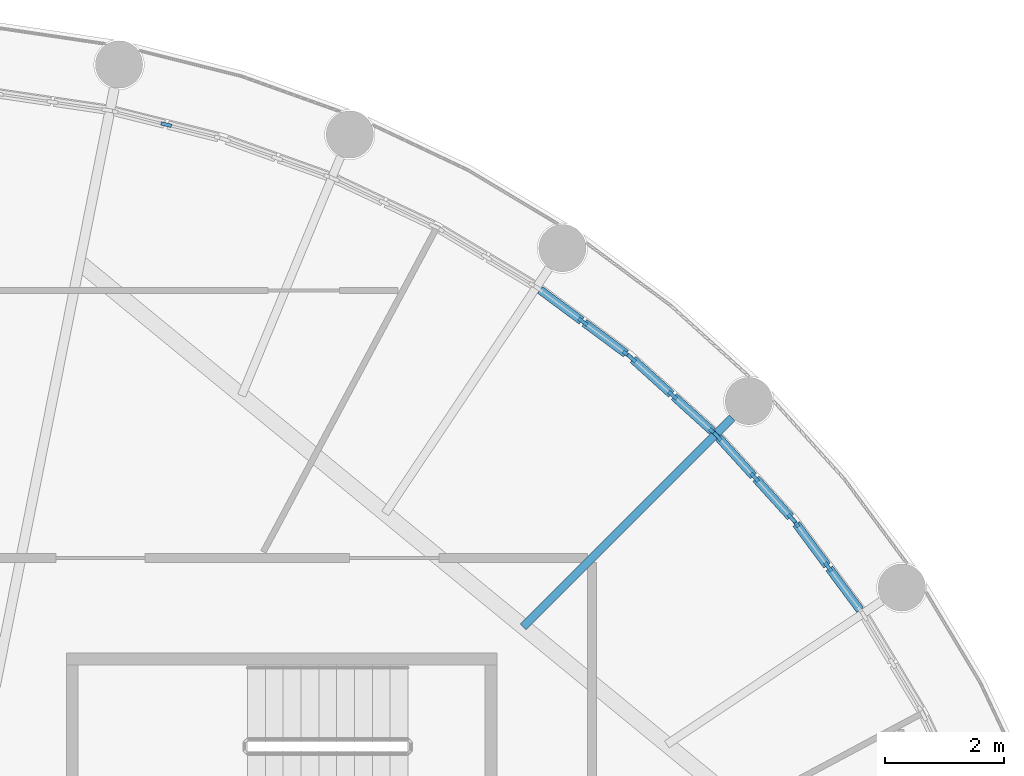
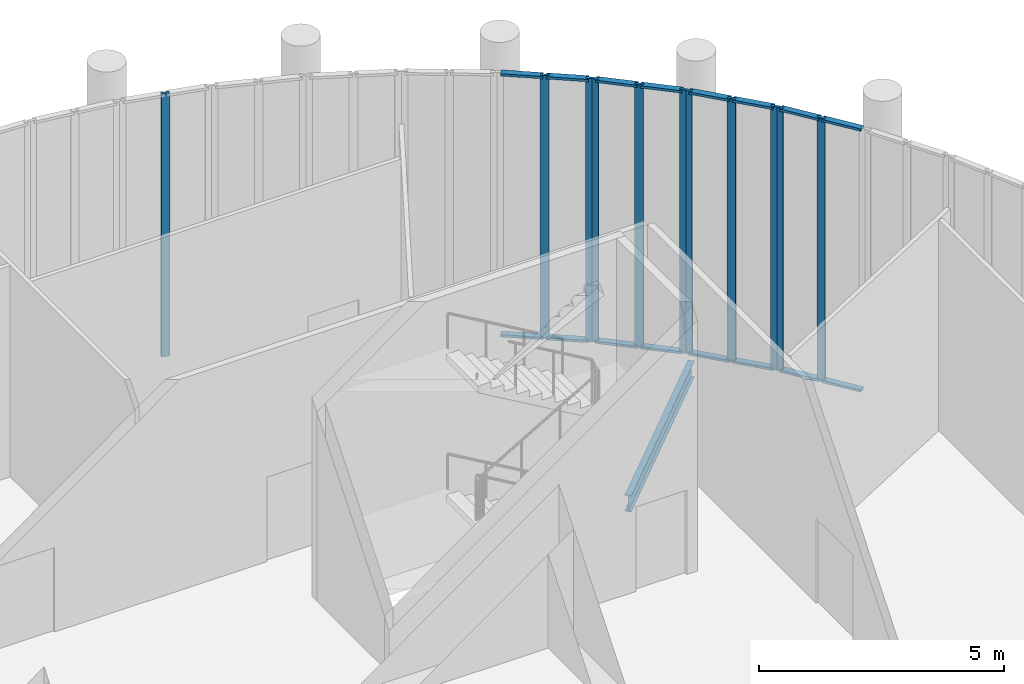
# One storey, part 8 of 21: 27 members, 1 beam, 5 elements without a shape of their own.
"""IFC4 building model written with IfcOpenShell, lengths in metres."""

from ifc_helpers import new_model, si_unit, direction, frame, origin, origin_2d, place, context, subcontext, project, spatial, rectangle, i_section, extrude, material, material_profile, profile_set, type_object, element, aggregate, save


model = new_model("IFC4")

# Units and contexts
model_context = context("Model", 3, precision=1e-05, world=origin(), true_north=direction((0.0, 1.0)))
body_context = subcontext(model_context, "Body", "Model", "MODEL_VIEW")
ifc_project = project(units=[si_unit("LENGTHUNIT", "METRE"), si_unit("AREAUNIT", "SQUARE_METRE"), si_unit("VOLUMEUNIT", "CUBIC_METRE"), si_unit("PLANEANGLEUNIT", "RADIAN"), si_unit("MASSUNIT", "GRAM", prefix="KILO")], contexts=[model_context])

# Site, building, storey
site_placement = place(None, origin())
site = spatial("IfcSite", under=ifc_project, at=site_placement, CompositionType="ELEMENT")
building_placement = place(site_placement, origin())
building = spatial("IfcBuilding", under=site, at=building_placement, Name="Corvane Civic Tower", CompositionType="ELEMENT")
storey_placement = place(building_placement, frame((0.0, 0.0, 380.5)))
storey = spatial("IfcBuildingStorey", under=building, at=storey_placement, Name="L91", CompositionType="ELEMENT", Elevation=380.5)

# Curtain wall, members
ifc_material_1 = material(Name="Aluminium and glass", Category="aluminium")
curtain_wall_type = type_object("IfcCurtainWallType", Name="CROWN-CW-O-RUN", PredefinedType="NOTDEFINED", material=ifc_material_1)
curtain_wall_1_placement = place(storey_placement, origin())
curtain_wall_1 = element("IfcCurtainWall", 1, at=curtain_wall_1_placement, inside=storey, type_object=curtain_wall_type, Name="CW-O run L91 55", PredefinedType="NOTDEFINED")
ifc_material_2 = material(Name="Anodised aluminium bronze", Category="aluminium")
ifc_material_profile_1 = material_profile(ifc_material_2, rectangle(XDim=0.06005859375, YDim=0.179931640625, at=origin_2d()), Name="AL 60x180")
ifc_profile_set_1 = profile_set([ifc_material_profile_1], Name="Anodised aluminium bronze")
member_type_1 = type_object("IfcMemberType", Name="CROWN-CWO-MULLION-60x180", PredefinedType="MULLION", material=ifc_profile_set_1)
member_1_placement = place(storey_placement, frame((15.972412109375, 11.845947265625, 0.0), z_axis=(0.0, 0.0, 1.0), x_axis=(-0.803190345058, -0.595722477003, 0.0)))
member_1 = element("IfcMember", 2, at=member_1_placement, type_object=member_type_1, Name="CW-O mullion 2", PredefinedType="MULLION", context=body_context, shape_type="SweptSolid", body=[
    extrude(rectangle(XDim=0.06005859375, YDim=0.179931640625, at=origin_2d()), origin(), (0.0, 0.0, 1.0), 6.550048828125),
])
member_2_placement = place(storey_placement, frame((15.417724609375, 12.593994140625, 0.0), z_axis=(0.0, 0.0, 1.0), x_axis=(-0.803190345058, -0.595722477003, 0.0)))
member_2 = element("IfcMember", 3, at=member_2_placement, type_object=member_type_1, Name="CW-O mullion 3", PredefinedType="MULLION", context=body_context, shape_type="SweptSolid", body=[
    extrude(rectangle(XDim=0.06005859375, YDim=0.179931640625, at=origin_2d()), origin(), (0.0, 0.0, 1.0), 6.550048828125),
])

curtain_wall_2_placement = place(storey_placement, origin())
curtain_wall_2 = element("IfcCurtainWall", 4, at=curtain_wall_2_placement, inside=storey, type_object=curtain_wall_type, Name="CW-O run L91 56", PredefinedType="NOTDEFINED")
member_3_placement = place(storey_placement, frame((15.35986328125, 12.664306640625, 0.0), z_axis=(0.0, 0.0, 1.0), x_axis=(-0.740944089448, -0.671566717692, 0.0)))
member_3 = element("IfcMember", 5, at=member_3_placement, type_object=member_type_1, Name="CW-O mullion 1", PredefinedType="MULLION", context=body_context, shape_type="SweptSolid", body=[
    extrude(rectangle(XDim=0.06005859375, YDim=0.179931640625, at=origin_2d()), origin(), (0.0, 0.0, 1.0), 6.550048828125),
])
member_4_placement = place(storey_placement, frame((14.734375, 13.3544921875, 0.0), z_axis=(0.0, 0.0, 1.0), x_axis=(-0.740944089448, -0.671566717692, 0.0)))
member_4 = element("IfcMember", 6, at=member_4_placement, type_object=member_type_1, Name="CW-O mullion 2", PredefinedType="MULLION", context=body_context, shape_type="SweptSolid", body=[
    extrude(rectangle(XDim=0.06005859375, YDim=0.179931640625, at=origin_2d()), origin(), (0.0, 0.0, 1.0), 6.550048828125),
])
member_5_placement = place(storey_placement, frame((14.10888671875, 14.044677734375, 0.0), z_axis=(0.0, 0.0, 1.0), x_axis=(-0.740944089448, -0.671566717692, 0.0)))
member_5 = element("IfcMember", 7, at=member_5_placement, type_object=member_type_1, Name="CW-O mullion 3", PredefinedType="MULLION", context=body_context, shape_type="SweptSolid", body=[
    extrude(rectangle(XDim=0.06005859375, YDim=0.179931640625, at=origin_2d()), origin(), (0.0, 0.0, 1.0), 6.550048828125),
])

curtain_wall_3_placement = place(storey_placement, origin())
curtain_wall_3 = element("IfcCurtainWall", 8, at=curtain_wall_3_placement, inside=storey, type_object=curtain_wall_type, Name="CW-O run L91 57", PredefinedType="NOTDEFINED")
member_6_placement = place(storey_placement, frame((14.044677734375, 14.10888671875, 0.0), z_axis=(0.0, 0.0, 1.0), x_axis=(-0.671566717692, -0.740944089448, 0.0)))
member_6 = element("IfcMember", 9, at=member_6_placement, type_object=member_type_1, Name="CW-O mullion 1", PredefinedType="MULLION", context=body_context, shape_type="SweptSolid", body=[
    extrude(rectangle(XDim=0.06005859375, YDim=0.179931640625, at=origin_2d()), origin(), (0.0, 0.0, 1.0), 6.550048828125),
])
member_7_placement = place(storey_placement, frame((13.3544921875, 14.734375, 0.0), z_axis=(0.0, 0.0, 1.0), x_axis=(-0.671566717692, -0.740944089448, 0.0)))
member_7 = element("IfcMember", 10, at=member_7_placement, type_object=member_type_1, Name="CW-O mullion 2", PredefinedType="MULLION", context=body_context, shape_type="SweptSolid", body=[
    extrude(rectangle(XDim=0.06005859375, YDim=0.179931640625, at=origin_2d()), origin(), (0.0, 0.0, 1.0), 6.550048828125),
])
member_8_placement = place(storey_placement, frame((12.664306640625, 15.35986328125, 0.0), z_axis=(0.0, 0.0, 1.0), x_axis=(-0.671566717692, -0.740944089448, 0.0)))
member_8 = element("IfcMember", 11, at=member_8_placement, type_object=member_type_1, Name="CW-O mullion 3", PredefinedType="MULLION", context=body_context, shape_type="SweptSolid", body=[
    extrude(rectangle(XDim=0.06005859375, YDim=0.179931640625, at=origin_2d()), origin(), (0.0, 0.0, 1.0), 6.550048828125),
])

curtain_wall_4_placement = place(storey_placement, origin())
curtain_wall_4 = element("IfcCurtainWall", 12, at=curtain_wall_4_placement, inside=storey, type_object=curtain_wall_type, Name="CW-O run L91 58", PredefinedType="NOTDEFINED")
member_9_placement = place(storey_placement, frame((12.593994140625, 15.417724609375, 0.0), z_axis=(0.0, 0.0, 1.0), x_axis=(-0.595722477003, -0.803190345058, 0.0)))
member_9 = element("IfcMember", 13, at=member_9_placement, type_object=member_type_1, Name="CW-O mullion 1", PredefinedType="MULLION", context=body_context, shape_type="SweptSolid", body=[
    extrude(rectangle(XDim=0.06005859375, YDim=0.179931640625, at=origin_2d()), origin(), (0.0, 0.0, 1.0), 6.550048828125),
])
member_10_placement = place(storey_placement, frame((11.845947265625, 15.972412109375, 0.0), z_axis=(0.0, 0.0, 1.0), x_axis=(-0.595722477003, -0.803190345058, 0.0)))
member_10 = element("IfcMember", 14, at=member_10_placement, type_object=member_type_1, Name="CW-O mullion 2", PredefinedType="MULLION", context=body_context, shape_type="SweptSolid", body=[
    extrude(rectangle(XDim=0.06005859375, YDim=0.179931640625, at=origin_2d()), origin(), (0.0, 0.0, 1.0), 6.550048828125),
])

# Curtain wall, member
curtain_wall_5_placement = place(storey_placement, origin())
curtain_wall_5 = element("IfcCurtainWall", 15, at=curtain_wall_5_placement, inside=storey, type_object=curtain_wall_type, Name="CW-O run L91 62", PredefinedType="NOTDEFINED")
member_11_placement = place(storey_placement, frame((4.831787109375, 19.2900390625, 0.0), z_axis=(0.0, 0.0, 1.0), x_axis=(-0.242951704982, -0.970038385347, 0.0)))
member_11 = element("IfcMember", 16, at=member_11_placement, type_object=member_type_1, Name="CW-O mullion 2", PredefinedType="MULLION", context=body_context, shape_type="SweptSolid", body=[
    extrude(rectangle(XDim=0.06005859375, YDim=0.179931640625, at=origin_2d()), origin(), (0.0, 0.0, 1.0), 6.550048828125),
])
aggregate(curtain_wall_5, [member_11])

# Member
ifc_material_3 = material(Name="Anodised aluminium bronze", Category="aluminium")
ifc_material_profile_2 = material_profile(ifc_material_3, rectangle(XDim=0.139892578125, YDim=0.06005859375, at=origin_2d()), Name="AL 140x60")
ifc_profile_set_2 = profile_set([ifc_material_profile_2], Name="Anodised aluminium bronze")
member_type_2 = type_object("IfcMemberType", Name="CROWN-CWO-TRANSOM-60x140", PredefinedType="USERDEFINED", material=ifc_profile_set_2)
member_12_placement = place(storey_placement, frame((16.509521484375, 11.1220703125, 0.030029296875), z_axis=(-0.595776957512, 0.803149934257, 0.0), x_axis=(-0.803149934257, -0.595776957512, 0.0)))
member_12 = element("IfcMember", 17, at=member_12_placement, type_object=member_type_2, Name="CW-O transom 1.1", ObjectType="TRANSOM", PredefinedType="USERDEFINED", context=body_context, shape_type="SweptSolid", body=[
    extrude(rectangle(XDim=0.139892578125, YDim=0.06005859375, at=origin_2d()), origin(), (0.0, 0.0, 1.0), 0.87109375),
])

member_13_placement = place(storey_placement, frame((16.509521484375, 11.1220703125, 6.52001953125), z_axis=(-0.595776957512, 0.803149934257, 0.0), x_axis=(-0.803149934257, -0.595776957512, 0.0)))
member_13 = element("IfcMember", 18, at=member_13_placement, type_object=member_type_2, Name="CW-O transom 1.2", ObjectType="TRANSOM", PredefinedType="USERDEFINED", context=body_context, shape_type="SweptSolid", body=[
    extrude(rectangle(XDim=0.139892578125, YDim=0.06005859375, at=origin_2d()), origin(), (0.0, 0.0, 1.0), 0.87109375),
])

member_14_placement = place(storey_placement, frame((15.95458984375, 11.8701171875, 0.030029296875), z_axis=(-0.595776957512, 0.803149934257, 0.0), x_axis=(-0.803149934257, -0.595776957512, 0.0)))
member_14 = element("IfcMember", 19, at=member_14_placement, type_object=member_type_2, Name="CW-O transom 2.1", ObjectType="TRANSOM", PredefinedType="USERDEFINED", context=body_context, shape_type="SweptSolid", body=[
    extrude(rectangle(XDim=0.139892578125, YDim=0.06005859375, at=origin_2d()), origin(), (0.0, 0.0, 1.0), 0.87109375),
])

member_15_placement = place(storey_placement, frame((15.95458984375, 11.8701171875, 6.52001953125), z_axis=(-0.595776957512, 0.803149934257, 0.0), x_axis=(-0.803149934257, -0.595776957512, 0.0)))
member_15 = element("IfcMember", 20, at=member_15_placement, type_object=member_type_2, Name="CW-O transom 2.2", ObjectType="TRANSOM", PredefinedType="USERDEFINED", context=body_context, shape_type="SweptSolid", body=[
    extrude(rectangle(XDim=0.139892578125, YDim=0.06005859375, at=origin_2d()), origin(), (0.0, 0.0, 1.0), 0.87109375),
])

aggregate(curtain_wall_1, [member_1, member_2, member_12, member_13, member_14, member_15])

member_16_placement = place(storey_placement, frame((15.33984375, 12.6865234375, 0.030029296875), z_axis=(-0.671514617897, 0.740991307608, 0.0), x_axis=(-0.740991307608, -0.671514617897, 0.0)))
member_16 = element("IfcMember", 21, at=member_16_placement, type_object=member_type_2, Name="CW-O transom 1.1", ObjectType="TRANSOM", PredefinedType="USERDEFINED", context=body_context, shape_type="SweptSolid", body=[
    extrude(rectangle(XDim=0.139892578125, YDim=0.06005859375, at=origin_2d()), origin(), (0.0, 0.0, 1.0), 0.87158203125),
])

member_17_placement = place(storey_placement, frame((15.33984375, 12.6865234375, 6.52001953125), z_axis=(-0.671514617897, 0.740991307608, 0.0), x_axis=(-0.740991307608, -0.671514617897, 0.0)))
member_17 = element("IfcMember", 22, at=member_17_placement, type_object=member_type_2, Name="CW-O transom 1.2", ObjectType="TRANSOM", PredefinedType="USERDEFINED", context=body_context, shape_type="SweptSolid", body=[
    extrude(rectangle(XDim=0.139892578125, YDim=0.06005859375, at=origin_2d()), origin(), (0.0, 0.0, 1.0), 0.87158203125),
])

member_18_placement = place(storey_placement, frame((14.71435546875, 13.376708984375, 0.030029296875), z_axis=(-0.671514617897, 0.740991307608, 0.0), x_axis=(-0.740991307608, -0.671514617897, 0.0)))
member_18 = element("IfcMember", 23, at=member_18_placement, type_object=member_type_2, Name="CW-O transom 2.1", ObjectType="TRANSOM", PredefinedType="USERDEFINED", context=body_context, shape_type="SweptSolid", body=[
    extrude(rectangle(XDim=0.139892578125, YDim=0.06005859375, at=origin_2d()), origin(), (0.0, 0.0, 1.0), 0.87158203125),
])

member_19_placement = place(storey_placement, frame((14.71435546875, 13.376708984375, 6.52001953125), z_axis=(-0.671514617897, 0.740991307608, 0.0), x_axis=(-0.740991307608, -0.671514617897, 0.0)))
member_19 = element("IfcMember", 24, at=member_19_placement, type_object=member_type_2, Name="CW-O transom 2.2", ObjectType="TRANSOM", PredefinedType="USERDEFINED", context=body_context, shape_type="SweptSolid", body=[
    extrude(rectangle(XDim=0.139892578125, YDim=0.06005859375, at=origin_2d()), origin(), (0.0, 0.0, 1.0), 0.87158203125),
])

aggregate(curtain_wall_2, [member_3, member_4, member_5, member_16, member_17, member_18, member_19])

member_20_placement = place(storey_placement, frame((14.0224609375, 14.129150390625, 0.030029296875), z_axis=(-0.740991307608, 0.671514617897, 0.0), x_axis=(-0.671514617897, -0.740991307608, 0.0)))
member_20 = element("IfcMember", 25, at=member_20_placement, type_object=member_type_2, Name="CW-O transom 1.1", ObjectType="TRANSOM", PredefinedType="USERDEFINED", context=body_context, shape_type="SweptSolid", body=[
    extrude(rectangle(XDim=0.139892578125, YDim=0.06005859375, at=origin_2d()), origin(), (0.0, 0.0, 1.0), 0.87158203125),
])

member_21_placement = place(storey_placement, frame((14.0224609375, 14.129150390625, 6.52001953125), z_axis=(-0.740991307608, 0.671514617897, 0.0), x_axis=(-0.671514617897, -0.740991307608, 0.0)))
member_21 = element("IfcMember", 26, at=member_21_placement, type_object=member_type_2, Name="CW-O transom 1.2", ObjectType="TRANSOM", PredefinedType="USERDEFINED", context=body_context, shape_type="SweptSolid", body=[
    extrude(rectangle(XDim=0.139892578125, YDim=0.06005859375, at=origin_2d()), origin(), (0.0, 0.0, 1.0), 0.87158203125),
])

member_22_placement = place(storey_placement, frame((13.332275390625, 14.754638671875, 0.030029296875), z_axis=(-0.740991307608, 0.671514617897, 0.0), x_axis=(-0.671514617897, -0.740991307608, 0.0)))
member_22 = element("IfcMember", 27, at=member_22_placement, type_object=member_type_2, Name="CW-O transom 2.1", ObjectType="TRANSOM", PredefinedType="USERDEFINED", context=body_context, shape_type="SweptSolid", body=[
    extrude(rectangle(XDim=0.139892578125, YDim=0.06005859375, at=origin_2d()), origin(), (0.0, 0.0, 1.0), 0.87158203125),
])

member_23_placement = place(storey_placement, frame((13.332275390625, 14.754638671875, 6.52001953125), z_axis=(-0.740991307608, 0.671514617897, 0.0), x_axis=(-0.671514617897, -0.740991307608, 0.0)))
member_23 = element("IfcMember", 28, at=member_23_placement, type_object=member_type_2, Name="CW-O transom 2.2", ObjectType="TRANSOM", PredefinedType="USERDEFINED", context=body_context, shape_type="SweptSolid", body=[
    extrude(rectangle(XDim=0.139892578125, YDim=0.06005859375, at=origin_2d()), origin(), (0.0, 0.0, 1.0), 0.87158203125),
])

aggregate(curtain_wall_3, [member_6, member_7, member_8, member_20, member_21, member_22, member_23])

member_24_placement = place(storey_placement, frame((12.56982421875, 15.435546875, 0.030029296875), z_axis=(-0.803149934257, 0.595776957512, 0.0), x_axis=(-0.595776957512, -0.803149934257, 0.0)))
member_24 = element("IfcMember", 29, at=member_24_placement, type_object=member_type_2, Name="CW-O transom 1.1", ObjectType="TRANSOM", PredefinedType="USERDEFINED", context=body_context, shape_type="SweptSolid", body=[
    extrude(rectangle(XDim=0.139892578125, YDim=0.06005859375, at=origin_2d()), origin(), (0.0, 0.0, 1.0), 0.87109375),
])

member_25_placement = place(storey_placement, frame((12.56982421875, 15.435546875, 6.52001953125), z_axis=(-0.803149934257, 0.595776957512, 0.0), x_axis=(-0.595776957512, -0.803149934257, 0.0)))
member_25 = element("IfcMember", 30, at=member_25_placement, type_object=member_type_2, Name="CW-O transom 1.2", ObjectType="TRANSOM", PredefinedType="USERDEFINED", context=body_context, shape_type="SweptSolid", body=[
    extrude(rectangle(XDim=0.139892578125, YDim=0.06005859375, at=origin_2d()), origin(), (0.0, 0.0, 1.0), 0.87109375),
])

member_26_placement = place(storey_placement, frame((11.82177734375, 15.990478515625, 0.030029296875), z_axis=(-0.803149934257, 0.595776957512, 0.0), x_axis=(-0.595776957512, -0.803149934257, 0.0)))
member_26 = element("IfcMember", 31, at=member_26_placement, type_object=member_type_2, Name="CW-O transom 2.1", ObjectType="TRANSOM", PredefinedType="USERDEFINED", context=body_context, shape_type="SweptSolid", body=[
    extrude(rectangle(XDim=0.139892578125, YDim=0.06005859375, at=origin_2d()), origin(), (0.0, 0.0, 1.0), 0.87109375),
])

member_27_placement = place(storey_placement, frame((11.82177734375, 15.990478515625, 6.52001953125), z_axis=(-0.803149934257, 0.595776957512, 0.0), x_axis=(-0.595776957512, -0.803149934257, 0.0)))
member_27 = element("IfcMember", 32, at=member_27_placement, type_object=member_type_2, Name="CW-O transom 2.2", ObjectType="TRANSOM", PredefinedType="USERDEFINED", context=body_context, shape_type="SweptSolid", body=[
    extrude(rectangle(XDim=0.139892578125, YDim=0.06005859375, at=origin_2d()), origin(), (0.0, 0.0, 1.0), 0.87109375),
])

aggregate(curtain_wall_4, [member_9, member_10, member_24, member_25, member_26, member_27])

# Beam
ifc_material_4 = material(Name="Steel ASTM A992 Gr 50", Category="steel")
ifc_material_profile_3 = material_profile(ifc_material_4, i_section(OverallWidth=0.140380859375, OverallDepth=0.40380859375, WebThickness=0.007080078125, FlangeThickness=0.01123046875, at=origin_2d()), Name="W16X31")
ifc_profile_set_3 = profile_set([ifc_material_profile_3], Name="Steel ASTM A992 Gr 50")
beam_type = type_object("IfcBeamType", Name="FLOOR GIRDER W16X31", PredefinedType="BEAM", material=ifc_profile_set_3)
beam_placement = place(storey_placement, frame((10.84033203125, 10.84033203125, -0.65185546875), z_axis=(0.707106781187, 0.707106781187, 0.0), x_axis=(-0.707106781187, 0.707106781187, 0.0)))
element("IfcBeam", 33, at=beam_placement, inside=storey, type_object=beam_type, Name="BM-L91-G05", PredefinedType="BEAM", context=body_context, shape_type="SweptSolid", body=[
    extrude(i_section(OverallWidth=0.140380859375, OverallDepth=0.40380859375, WebThickness=0.007080078125, FlangeThickness=0.01123046875, at=origin_2d()), origin(), (0.0, 0.0, 1.0), 4.969482421875),
])

save(model, "model.ifc")
